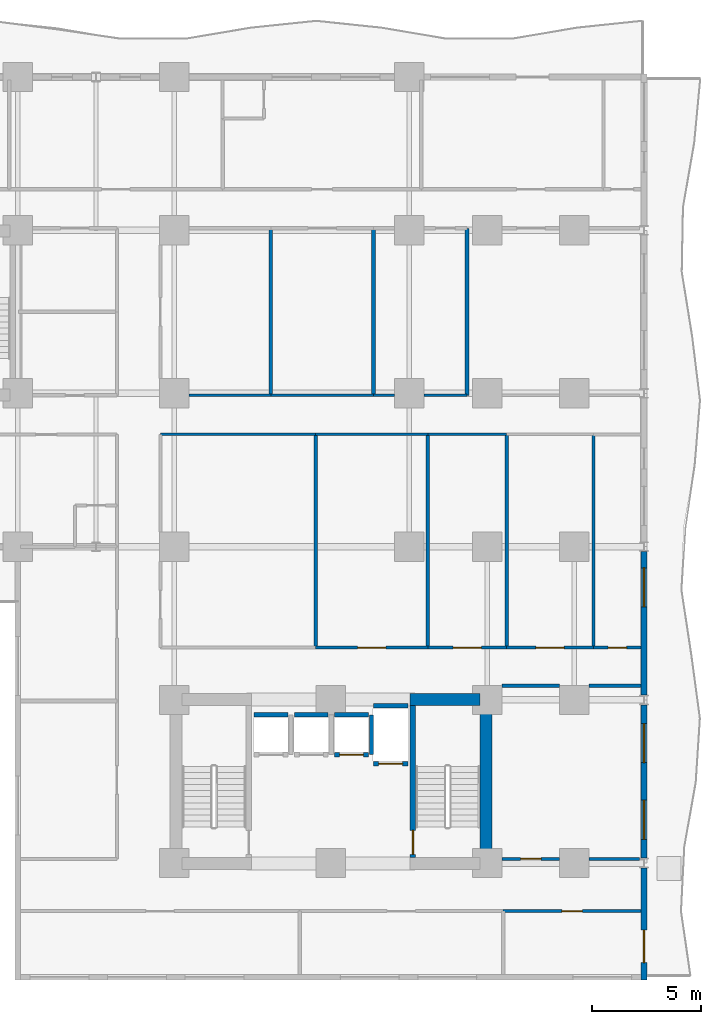
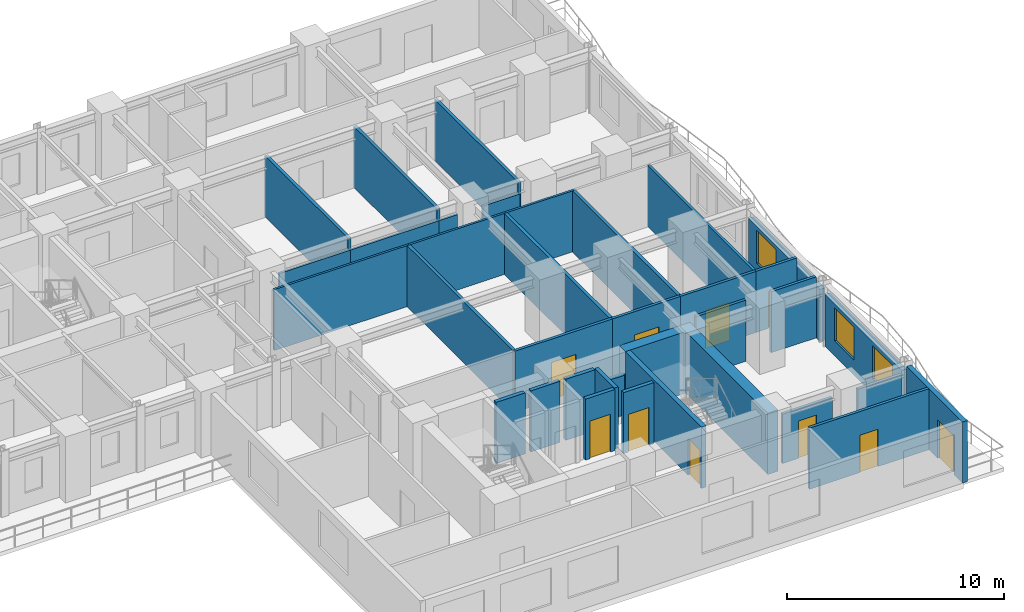
# One storey, part 5 of 11: 36 walls, 10 doors, 3 windows, 13 openings.
"""IFC4 building model written with IfcOpenShell, lengths in metres."""

from ifc_helpers import new_model, si_unit, direction, frame, frame_2d, origin, place, context, subcontext, project, spatial, rectangle, extrude, material, layer, layer_set, type_object, element, fill, save


model = new_model("IFC4")

# Units and contexts
model_context = context("Model", 3, precision=1e-05, world=origin(), true_north=direction((0.0, 1.0)))
body_context = subcontext(model_context, "Body", "Model", "MODEL_VIEW")
ifc_project = project(units=[si_unit("LENGTHUNIT", "METRE"), si_unit("AREAUNIT", "SQUARE_METRE"), si_unit("VOLUMEUNIT", "CUBIC_METRE"), si_unit("PLANEANGLEUNIT", "RADIAN"), si_unit("MASSUNIT", "GRAM", prefix="KILO")], contexts=[model_context])

# Site, building, storey
site_placement = place(None, origin())
site = spatial("IfcSite", under=ifc_project, at=site_placement, CompositionType="ELEMENT")
building_placement = place(site_placement, origin())
building = spatial("IfcBuilding", under=site, at=building_placement, Name="Kaliganga Portal Commons", CompositionType="ELEMENT")
storey_placement = place(building_placement, frame((0.0, 0.0, 25.300048828125)))
storey = spatial("IfcBuildingStorey", under=building, at=storey_placement, Name="L05", CompositionType="ELEMENT", Elevation=25.300048828125)

# Walls
ifc_material_1 = material(Name="Concrete C60/75", Category="concrete")
ifc_layer_1 = layer(ifc_material_1, 0.550048828125)
ifc_layer_set_1 = layer_set([ifc_layer_1], Name="Concrete C60/75")
wall_type_1 = type_object("IfcWallType", Name="WL-CORE-550", PredefinedType="SHEAR", material=ifc_layer_set_1)
wall_1_placement = place(storey_placement, frame((50.324951171875, 6.75, 0.0), z_axis=(0.0, 0.0, 1.0), x_axis=(0.0, 1.0, 0.0)))
element("IfcWall", 1, at=wall_1_placement, inside=storey, type_object=wall_type_1, Name="Core B East Shear Wall L05", PredefinedType="SHEAR", context=body_context, shape_type="SweptSolid", body=[
    extrude(rectangle(XDim=8.10009765625, YDim=0.550048828125, at=frame_2d((4.050048828125, 0.0))), origin(), (0.0, 0.0, 1.0), 3.449951171875),
])
wall_2_placement = place(storey_placement, frame((46.85009765625, 14.574951171875, 0.0), z_axis=(0.0, 0.0, 1.0), x_axis=(1.0, 0.0, 0.0)))
element("IfcWall", 2, at=wall_2_placement, inside=storey, type_object=wall_type_1, Name="Core B N-East Shear Wall L05", PredefinedType="SHEAR", context=body_context, shape_type="SweptSolid", body=[
    extrude(rectangle(XDim=3.199951171875, YDim=0.550048828125, at=frame_2d((1.60009765625, 0.0))), origin(), (0.0, 0.0, 1.0), 3.449951171875),
])

# Wall, opening, door
ifc_material_2 = material(Name="Insulated Aluminium-Clad Spandrel Assembly", Category="aluminium")
ifc_layer_2 = layer(ifc_material_2, 0.260009765625)
ifc_layer_set_2 = layer_set([ifc_layer_2], Name="Insulated Aluminium-Clad Spandrel Assembly")
wall_type_2 = type_object("IfcWallType", Name="WL-EXT-SPAND-260", PredefinedType="STANDARD", material=ifc_layer_set_2)
wall_3_placement = place(storey_placement, frame((57.60009765625, 6.825927734375, 0.0), z_axis=(0.0, 0.0, 1.0), x_axis=(0.0, -1.0, 0.0)))
wall_3 = element("IfcWall", 3, at=wall_3_placement, inside=storey, type_object=wall_type_2, Name="Exterior Envelope Wall L05 P1-E01-S1", PredefinedType="STANDARD", context=body_context, shape_type="SweptSolid", body=[
    extrude(rectangle(XDim=5.156005859375, YDim=0.260009765625, at=frame_2d((2.578125, 0.0))), origin(), (0.0, 0.0, 1.0), 3.429931640625),
])
opening_1_placement = place(wall_3_placement, frame((2.85888671875, 0.0, 0.0)))
opening_1 = element("IfcOpeningElement", 4, at=opening_1_placement, cuts=wall_3, Name="Opening BD-01", PredefinedType="OPENING", context=body_context, shape_type="SweptSolid", body=[
    extrude(rectangle(XDim=1.5, YDim=2.14990234375, at=frame_2d((0.75, 1.074951171875))), frame((0.0, 0.14013671875, 0.0), z_axis=(0.0, -1.0, 0.0), x_axis=(1.0, 0.0, 0.0)), (0.0, 0.0, 1.0), 0.280029296875),
])
ifc_material_3 = material(Name="Anodized Aluminium and Laminated Safety Glass", Category="aluminium")
door_type_1 = type_object("IfcDoorType", Name="DR-BALC-1500", OperationType="SLIDING_TO_LEFT", PredefinedType="DOOR", material=ifc_material_3)
door_1_placement = place(opening_1_placement, origin())
door_1 = element("IfcDoor", 5, at=door_1_placement, inside=storey, type_object=door_type_1, Name="Balcony Sliding Door L05 balc_east", OperationType="SLIDING_TO_LEFT", OverallHeight=2.14990234375, OverallWidth=1.5, PredefinedType="DOOR", context=body_context, shape_type="SweptSolid", body=[
    extrude(rectangle(XDim=1.5, YDim=2.14990234375, at=frame_2d((0.75, 1.074951171875))), frame((0.0, 0.02490234375, 0.0), z_axis=(0.0, -1.0, 0.0), x_axis=(1.0, 0.0, 0.0)), (0.0, 0.0, 1.0), 0.050048828125),
])
fill(opening_1, door_1)

# Wall, openings, windows
wall_4_placement = place(storey_placement, frame((57.60009765625, 14.325927734375, 0.0), z_axis=(0.0, 0.0, 1.0), x_axis=(0.0, -1.0, 0.0)))
wall_4 = element("IfcWall", 6, at=wall_4_placement, inside=storey, type_object=wall_type_2, Name="Exterior Envelope Wall L05 P1-E01-S2", PredefinedType="STANDARD", context=body_context, shape_type="SweptSolid", body=[
    extrude(rectangle(XDim=7.052001953125, YDim=0.260009765625, at=frame_2d((3.52587890625, 0.0))), origin(), (0.0, 0.0, 1.0), 2.929931640625),
])
opening_2_placement = place(wall_4_placement, frame((0.863037109375, 0.0, 0.85009765625)))
opening_2 = element("IfcOpeningElement", 7, at=opening_2_placement, cuts=wall_4, Name="Opening W-01", PredefinedType="OPENING", context=body_context, shape_type="SweptSolid", body=[
    extrude(rectangle(XDim=1.800048828125, YDim=1.85009765625, at=frame_2d((0.89990234375, 0.925048828125))), frame((0.0, 0.14013671875, 0.0), z_axis=(0.0, -1.0, 0.0), x_axis=(1.0, 0.0, 0.0)), (0.0, 0.0, 1.0), 0.280029296875),
])
opening_3_placement = place(wall_4_placement, frame((4.388916015625, 0.0, 0.85009765625)))
opening_3 = element("IfcOpeningElement", 8, at=opening_3_placement, cuts=wall_4, Name="Opening W-01", PredefinedType="OPENING", context=body_context, shape_type="SweptSolid", body=[
    extrude(rectangle(XDim=1.800048828125, YDim=1.85009765625, at=frame_2d((0.89990234375, 0.925048828125))), frame((0.0, 0.14013671875, 0.0), z_axis=(0.0, -1.0, 0.0), x_axis=(1.0, 0.0, 0.0)), (0.0, 0.0, 1.0), 0.280029296875),
])
ifc_material_4 = material(Name="Thermally Broken Aluminium and Low-E Double Glazing", Category="aluminium")
window_type = type_object("IfcWindowType", Name="WIN-STD-1800", PartitioningType="DOUBLE_PANEL_VERTICAL", PredefinedType="WINDOW", material=ifc_material_4)
window_1_placement = place(opening_2_placement, origin())
window_1 = element("IfcWindow", 9, at=window_1_placement, inside=storey, type_object=window_type, Name="Facade Window L05-P1E01S2-00", OverallHeight=1.85009765625, OverallWidth=1.800048828125, PartitioningType="SINGLE_PANEL", PredefinedType="WINDOW", context=body_context, shape_type="SweptSolid", body=[
    extrude(rectangle(XDim=1.800048828125, YDim=1.85009765625, at=frame_2d((0.89990234375, 0.925048828125))), frame((0.0, 0.030029296875, 0.0), z_axis=(0.0, -1.0, 0.0), x_axis=(1.0, 0.0, 0.0)), (0.0, 0.0, 1.0), 0.06005859375),
])
fill(opening_2, window_1)
window_2_placement = place(opening_3_placement, origin())
window_2 = element("IfcWindow", 10, at=window_2_placement, inside=storey, type_object=window_type, Name="Facade Window L05-P1E01S2-01", OverallHeight=1.85009765625, OverallWidth=1.800048828125, PartitioningType="SINGLE_PANEL", PredefinedType="WINDOW", context=body_context, shape_type="SweptSolid", body=[
    extrude(rectangle(XDim=1.800048828125, YDim=1.85009765625, at=frame_2d((0.89990234375, 0.925048828125))), frame((0.0, 0.030029296875, 0.0), z_axis=(0.0, -1.0, 0.0), x_axis=(1.0, 0.0, 0.0)), (0.0, 0.0, 1.0), 0.06005859375),
])
fill(opening_3, window_2)

# Wall, opening, window
wall_5_placement = place(storey_placement, frame((57.60009765625, 21.3759765625, 0.0), z_axis=(0.0, 0.0, 1.0), x_axis=(0.0, -1.0, 0.0)))
wall_5 = element("IfcWall", 11, at=wall_5_placement, inside=storey, type_object=wall_type_2, Name="Exterior Envelope Wall L05 P1-E01-S3", PredefinedType="STANDARD", context=body_context, shape_type="SweptSolid", body=[
    extrude(rectangle(XDim=6.60205078125, YDim=0.260009765625, at=frame_2d((3.301025390625, 0.0))), origin(), (0.0, 0.0, 1.0), 2.929931640625),
])
opening_4_placement = place(wall_5_placement, frame((0.75048828125, 0.0, 0.85009765625)))
opening_4 = element("IfcOpeningElement", 12, at=opening_4_placement, cuts=wall_5, Name="Opening W-01", PredefinedType="OPENING", context=body_context, shape_type="SweptSolid", body=[
    extrude(rectangle(XDim=1.800048828125, YDim=1.85009765625, at=frame_2d((0.89990234375, 0.925048828125))), frame((0.0, 0.14013671875, 0.0), z_axis=(0.0, -1.0, 0.0), x_axis=(1.0, 0.0, 0.0)), (0.0, 0.0, 1.0), 0.280029296875),
])
window_3_placement = place(opening_4_placement, origin())
window_3 = element("IfcWindow", 13, at=window_3_placement, inside=storey, type_object=window_type, Name="Facade Window L05-P1E01S3-00", OverallHeight=1.85009765625, OverallWidth=1.800048828125, PartitioningType="SINGLE_PANEL", PredefinedType="WINDOW", context=body_context, shape_type="SweptSolid", body=[
    extrude(rectangle(XDim=1.800048828125, YDim=1.85009765625, at=frame_2d((0.89990234375, 0.925048828125))), frame((0.0, 0.030029296875, 0.0), z_axis=(0.0, -1.0, 0.0), x_axis=(1.0, 0.0, 0.0)), (0.0, 0.0, 1.0), 0.06005859375),
])
fill(opening_4, window_3)

# Wall, opening, door
ifc_material_5 = material(Name="Fire-Rated Gypsum Board on Steel Stud", Category="steel")
ifc_layer_3 = layer(ifc_material_5, 0.14990234375)
ifc_layer_set_3 = layer_set([ifc_layer_3], Name="Fire-Rated Gypsum Board on Steel Stud")
wall_type_3 = type_object("IfcWallType", Name="WL-PART-CORR-150", PredefinedType="PARTITIONING", material=ifc_layer_set_3)
wall_6_placement = place(storey_placement, frame((51.074951171875, 7.239990234375, 0.0), z_axis=(0.0, 0.0, 1.0), x_axis=(1.0, 0.0, 0.0)))
wall_6 = element("IfcWall", 14, at=wall_6_placement, inside=storey, type_object=wall_type_3, Name="Interior Partition L05-025", PredefinedType="PARTITIONING", context=body_context, shape_type="SweptSolid", body=[
    extrude(rectangle(XDim=2.650146484375, YDim=0.14990234375, at=frame_2d((1.3251953125, 0.0))), origin(), (0.0, 0.0, 1.0), 2.780029296875),
])
opening_5_placement = place(wall_6_placement, frame((0.85009765625, 0.0, 0.0)))
opening_5 = element("IfcOpeningElement", 15, at=opening_5_placement, cuts=wall_6, Name="Opening UD-01", PredefinedType="OPENING", context=body_context, shape_type="SweptSolid", body=[
    extrude(rectangle(XDim=0.949951171875, YDim=2.10009765625, at=frame_2d((0.47509765625, 1.050048828125))), frame((0.0, 0.0849609375, 0.0), z_axis=(0.0, -1.0, 0.0), x_axis=(1.0, 0.0, 0.0)), (0.0, 0.0, 1.0), 0.169921875),
])
ifc_material_6 = material(Name="Solid-Core Timber Acoustic Fire Door", Category="wood")
door_type_2 = type_object("IfcDoorType", Name="DR-UNIT-950", OperationType="NOTDEFINED", PredefinedType="DOOR", material=ifc_material_6)
door_2_placement = place(opening_5_placement, origin())
door_2 = element("IfcDoor", 16, at=door_2_placement, inside=storey, type_object=door_type_2, Name="Interior Door L05-BE01", OperationType="SINGLE_SWING_LEFT", OverallHeight=2.10009765625, OverallWidth=0.949951171875, PredefinedType="DOOR", context=body_context, shape_type="SweptSolid", body=[
    extrude(rectangle(XDim=0.949951171875, YDim=2.10009765625, at=frame_2d((0.47509765625, 1.050048828125))), frame((0.0, 0.02490234375, 0.0), z_axis=(0.0, -1.0, 0.0), x_axis=(1.0, 0.0, 0.0)), (0.0, 0.0, 1.0), 0.050048828125),
])
fill(opening_5, door_2)

# Walls
wall_7_placement = place(storey_placement, frame((55.074951171875, 7.239990234375, 0.0), z_axis=(0.0, 0.0, 1.0), x_axis=(1.0, 0.0, 0.0)))
element("IfcWall", 17, at=wall_7_placement, inside=storey, type_object=wall_type_3, Name="Interior Partition L05-026", PredefinedType="PARTITIONING", context=body_context, shape_type="SweptSolid", body=[
    extrude(rectangle(XDim=2.317138671875, YDim=0.14990234375, at=frame_2d((1.15869140625, 0.0))), origin(), (0.0, 0.0, 1.0), 2.780029296875),
])
wall_8_placement = place(storey_placement, frame((51.074951171875, 15.199951171875, 0.0), z_axis=(0.0, 0.0, 1.0), x_axis=(1.0, 0.0, 0.0)))
element("IfcWall", 18, at=wall_8_placement, inside=storey, type_object=wall_type_3, Name="Interior Partition L05-027", PredefinedType="PARTITIONING", context=body_context, shape_type="SweptSolid", body=[
    extrude(rectangle(XDim=2.650146484375, YDim=0.14990234375, at=frame_2d((1.3251953125, 0.0))), origin(), (0.0, 0.0, 1.0), 3.429931640625),
])
wall_9_placement = place(storey_placement, frame((55.074951171875, 15.199951171875, 0.0), z_axis=(0.0, 0.0, 1.0), x_axis=(1.0, 0.0, 0.0)))
element("IfcWall", 19, at=wall_9_placement, inside=storey, type_object=wall_type_3, Name="Interior Partition L05-028", PredefinedType="PARTITIONING", context=body_context, shape_type="SweptSolid", body=[
    extrude(rectangle(XDim=2.39306640625, YDim=0.14990234375, at=frame_2d((1.196533203125, 0.0))), origin(), (0.0, 0.0, 1.0), 3.429931640625),
])

# Wall, opening, door
wall_10_placement = place(storey_placement, frame((51.1201171875, 4.840087890625, 0.0), z_axis=(0.0, 0.0, 1.0), x_axis=(1.0, 0.0, 0.0)))
wall_10 = element("IfcWall", 20, at=wall_10_placement, inside=storey, type_object=wall_type_3, Name="Interior Partition L05-029", PredefinedType="PARTITIONING", context=body_context, shape_type="SweptSolid", body=[
    extrude(rectangle(XDim=6.347900390625, YDim=0.14990234375, at=frame_2d((3.173828125, 0.0))), origin(), (0.0, 0.0, 1.0), 3.429931640625),
])
opening_6_placement = place(wall_10_placement, frame((2.698974609375, 0.0, 0.0)))
opening_6 = element("IfcOpeningElement", 21, at=opening_6_placement, cuts=wall_10, Name="Opening UD-01", PredefinedType="OPENING", context=body_context, shape_type="SweptSolid", body=[
    extrude(rectangle(XDim=0.949951171875, YDim=2.10009765625, at=frame_2d((0.47509765625, 1.050048828125))), frame((0.0, 0.0849609375, 0.0), z_axis=(0.0, -1.0, 0.0), x_axis=(1.0, 0.0, 0.0)), (0.0, 0.0, 1.0), 0.169921875),
])
door_3_placement = place(opening_6_placement, origin())
door_3 = element("IfcDoor", 22, at=door_3_placement, inside=storey, type_object=door_type_2, Name="Interior Door L05-BS03", OperationType="SINGLE_SWING_RIGHT", OverallHeight=2.10009765625, OverallWidth=0.949951171875, PredefinedType="DOOR", context=body_context, shape_type="SweptSolid", body=[
    extrude(rectangle(XDim=0.949951171875, YDim=2.10009765625, at=frame_2d((0.47509765625, 1.050048828125))), frame((0.0, 0.02490234375, 0.0), z_axis=(0.0, -1.0, 0.0), x_axis=(1.0, 0.0, 0.0)), (0.0, 0.0, 1.0), 0.050048828125),
])
fill(opening_6, door_3)

wall_11_placement = place(storey_placement, frame((42.5, 16.9599609375, 0.0), z_axis=(0.0, 0.0, 1.0), x_axis=(1.0, 0.0, 0.0)))
wall_11 = element("IfcWall", 23, at=wall_11_placement, inside=storey, type_object=wall_type_3, Name="Interior Partition L05-031", PredefinedType="PARTITIONING", context=body_context, shape_type="SweptSolid", body=[
    extrude(rectangle(XDim=5.159912109375, YDim=0.14990234375, at=frame_2d((2.580078125, 0.0))), origin(), (0.0, 0.0, 1.0), 3.429931640625),
])
opening_7_placement = place(wall_11_placement, frame((1.929931640625, 0.0, 0.0)))
opening_7 = element("IfcOpeningElement", 24, at=opening_7_placement, cuts=wall_11, Name="Opening RD-03", PredefinedType="OPENING", context=body_context, shape_type="SweptSolid", body=[
    extrude(rectangle(XDim=1.300048828125, YDim=2.1201171875, at=frame_2d((0.64990234375, 1.06005859375))), frame((0.0, 0.0849609375, 0.0), z_axis=(0.0, -1.0, 0.0), x_axis=(1.0, 0.0, 0.0)), (0.0, 0.0, 1.0), 0.169921875),
])
ifc_material_7 = material(Name="Glazed Timber Seminar Vision Door", Category="wood")
door_type_3 = type_object("IfcDoorType", Name="DR-STUDY-1300", OperationType="DOUBLE_DOOR_SINGLE_SWING", PredefinedType="DOOR", material=ifc_material_7)
door_4_placement = place(opening_7_placement, origin())
door_4 = element("IfcDoor", 25, at=door_4_placement, inside=storey, type_object=door_type_3, Name="Interior Door L05-BM02", OperationType="DOUBLE_DOOR_SINGLE_SWING", OverallHeight=2.1201171875, OverallWidth=1.300048828125, PredefinedType="DOOR", context=body_context, shape_type="SweptSolid", body=[
    extrude(rectangle(XDim=1.300048828125, YDim=2.1201171875, at=frame_2d((0.64990234375, 1.06005859375))), frame((0.0, 0.02490234375, 0.0), z_axis=(0.0, -1.0, 0.0), x_axis=(1.0, 0.0, 0.0)), (0.0, 0.0, 1.0), 0.050048828125),
])
fill(opening_7, door_4)

wall_12_placement = place(storey_placement, frame((51.280029296875, 16.9599609375, 0.0), z_axis=(0.0, 0.0, 1.0), x_axis=(1.0, 0.0, 0.0)))
wall_12 = element("IfcWall", 26, at=wall_12_placement, inside=storey, type_object=wall_type_3, Name="Interior Partition L05-044", PredefinedType="PARTITIONING", context=body_context, shape_type="SweptSolid", body=[
    extrude(rectangle(XDim=4.0, YDim=0.14990234375, at=frame_2d((2.0, 0.0))), origin(), (0.0, 0.0, 1.0), 3.429931640625),
])
opening_8_placement = place(wall_12_placement, frame((1.35009765625, 0.0, 0.0)))
opening_8 = element("IfcOpeningElement", 27, at=opening_8_placement, cuts=wall_12, Name="Opening RD-03", PredefinedType="OPENING", context=body_context, shape_type="SweptSolid", body=[
    extrude(rectangle(XDim=1.300048828125, YDim=2.1201171875, at=frame_2d((0.64990234375, 1.06005859375))), frame((0.0, 0.0849609375, 0.0), z_axis=(0.0, -1.0, 0.0), x_axis=(1.0, 0.0, 0.0)), (0.0, 0.0, 1.0), 0.169921875),
])
door_5_placement = place(opening_8_placement, origin())
door_5 = element("IfcDoor", 28, at=door_5_placement, inside=storey, type_object=door_type_3, Name="Interior Door L05-BM04", OperationType="DOUBLE_DOOR_SINGLE_SWING", OverallHeight=2.1201171875, OverallWidth=1.300048828125, PredefinedType="DOOR", context=body_context, shape_type="SweptSolid", body=[
    extrude(rectangle(XDim=1.300048828125, YDim=2.1201171875, at=frame_2d((0.64990234375, 1.06005859375))), frame((0.0, 0.02490234375, 0.0), z_axis=(0.0, -1.0, 0.0), x_axis=(1.0, 0.0, 0.0)), (0.0, 0.0, 1.0), 0.050048828125),
])
fill(opening_8, door_5)

wall_13_placement = place(storey_placement, frame((47.659912109375, 16.9599609375, 0.0), z_axis=(0.0, 0.0, 1.0), x_axis=(1.0, 0.0, 0.0)))
wall_13 = element("IfcWall", 29, at=wall_13_placement, inside=storey, type_object=wall_type_3, Name="Interior Partition L05-049", PredefinedType="PARTITIONING", context=body_context, shape_type="SweptSolid", body=[
    extrude(rectangle(XDim=3.6201171875, YDim=0.14990234375, at=frame_2d((1.81005859375, 0.0))), origin(), (0.0, 0.0, 1.0), 3.429931640625),
])
opening_9_placement = place(wall_13_placement, frame((1.159912109375, 0.0, 0.0)))
opening_9 = element("IfcOpeningElement", 30, at=opening_9_placement, cuts=wall_13, Name="Opening RD-03", PredefinedType="OPENING", context=body_context, shape_type="SweptSolid", body=[
    extrude(rectangle(XDim=1.300048828125, YDim=2.1201171875, at=frame_2d((0.64990234375, 1.06005859375))), frame((0.0, 0.0849609375, 0.0), z_axis=(0.0, -1.0, 0.0), x_axis=(1.0, 0.0, 0.0)), (0.0, 0.0, 1.0), 0.169921875),
])
door_6_placement = place(opening_9_placement, origin())
door_6 = element("IfcDoor", 31, at=door_6_placement, inside=storey, type_object=door_type_3, Name="Interior Door L05-BM03", OperationType="DOUBLE_DOOR_SINGLE_SWING", OverallHeight=2.1201171875, OverallWidth=1.300048828125, PredefinedType="DOOR", context=body_context, shape_type="SweptSolid", body=[
    extrude(rectangle(XDim=1.300048828125, YDim=2.1201171875, at=frame_2d((0.64990234375, 1.06005859375))), frame((0.0, 0.02490234375, 0.0), z_axis=(0.0, -1.0, 0.0), x_axis=(1.0, 0.0, 0.0)), (0.0, 0.0, 1.0), 0.050048828125),
])
fill(opening_9, door_6)

wall_14_placement = place(storey_placement, frame((55.280029296875, 16.9599609375, 0.0), z_axis=(0.0, 0.0, 1.0), x_axis=(1.0, 0.0, 0.0)))
wall_14 = element("IfcWall", 32, at=wall_14_placement, inside=storey, type_object=wall_type_3, Name="Interior Partition L05-053", PredefinedType="PARTITIONING", context=body_context, shape_type="SweptSolid", body=[
    extrude(rectangle(XDim=2.18798828125, YDim=0.14990234375, at=frame_2d((1.093994140625, 0.0))), origin(), (0.0, 0.0, 1.0), 3.429931640625),
])
opening_10_placement = place(wall_14_placement, frame((0.6689453125, 0.0, 0.0)))
opening_10 = element("IfcOpeningElement", 33, at=opening_10_placement, cuts=wall_14, Name="Opening WD-01", PredefinedType="OPENING", context=body_context, shape_type="SweptSolid", body=[
    extrude(rectangle(XDim=0.85009765625, YDim=2.0400390625, at=frame_2d((0.425048828125, 1.02001953125))), frame((0.0, 0.0849609375, 0.0), z_axis=(0.0, -1.0, 0.0), x_axis=(1.0, 0.0, 0.0)), (0.0, 0.0, 1.0), 0.169921875),
])
ifc_material_8 = material(Name="Moisture-Resistant Laminate Timber Door", Category="wood")
door_type_4 = type_object("IfcDoorType", Name="DR-WET-850", OperationType="NOTDEFINED", PredefinedType="DOOR", material=ifc_material_8)
door_7_placement = place(opening_10_placement, origin())
door_7 = element("IfcDoor", 34, at=door_7_placement, inside=storey, type_object=door_type_4, Name="Interior Door L05-BM05", OperationType="SINGLE_SWING_LEFT", OverallHeight=2.0400390625, OverallWidth=0.85009765625, PredefinedType="DOOR", context=body_context, shape_type="SweptSolid", body=[
    extrude(rectangle(XDim=0.85009765625, YDim=2.0400390625, at=frame_2d((0.425048828125, 1.02001953125))), frame((0.0, 0.02490234375, 0.0), z_axis=(0.0, -1.0, 0.0), x_axis=(1.0, 0.0, 0.0)), (0.0, 0.0, 1.0), 0.050048828125),
])
fill(opening_10, door_7)

# Walls
ifc_material_9 = material(Name="Moisture-Resistant Gypsum Partition", Category="gypsum")
ifc_layer_4 = layer(ifc_material_9, 0.114990234375)
ifc_layer_set_4 = layer_set([ifc_layer_4], Name="Moisture-Resistant Gypsum Partition")
wall_type_4 = type_object("IfcWallType", Name="WL-PART-ROOM-115", PredefinedType="PARTITIONING", material=ifc_layer_set_4)
wall_15_placement = place(storey_placement, frame((35.360107421875, 26.760009765625, 0.0), z_axis=(0.0, 0.0, 1.0), x_axis=(1.0, 0.0, 0.0)))
element("IfcWall", 35, at=wall_15_placement, inside=storey, type_object=wall_type_4, Name="Interior Partition L05-066", PredefinedType="PARTITIONING", context=body_context, shape_type="SweptSolid", body=[
    extrude(rectangle(XDim=7.139892578125, YDim=0.114990234375, at=frame_2d((3.56982421875, 0.0))), origin(), (0.0, 0.0, 1.0), 3.429931640625),
])
wall_16_placement = place(storey_placement, frame((42.5, 26.760009765625, 0.0), z_axis=(0.0, 0.0, 1.0), x_axis=(1.0, 0.0, 0.0)))
element("IfcWall", 36, at=wall_16_placement, inside=storey, type_object=wall_type_4, Name="Interior Partition L05-075", PredefinedType="PARTITIONING", context=body_context, shape_type="SweptSolid", body=[
    extrude(rectangle(XDim=5.159912109375, YDim=0.114990234375, at=frame_2d((2.580078125, 0.0))), origin(), (0.0, 0.0, 1.0), 3.429931640625),
])
wall_17_placement = place(storey_placement, frame((36.675048828125, 28.56005859375, 0.0), z_axis=(0.0, 0.0, 1.0), x_axis=(1.0, 0.0, 0.0)))
element("IfcWall", 37, at=wall_17_placement, inside=storey, type_object=wall_type_4, Name="Interior Partition L05-076", PredefinedType="PARTITIONING", context=body_context, shape_type="SweptSolid", body=[
    extrude(rectangle(XDim=3.764892578125, YDim=0.114990234375, at=frame_2d((1.88232421875, 0.0))), origin(), (0.0, 0.0, 1.0), 2.780029296875),
])
wall_18_placement = place(storey_placement, frame((40.43994140625, 28.56005859375, 0.0), z_axis=(0.0, 0.0, 1.0), x_axis=(1.0, 0.0, 0.0)))
element("IfcWall", 38, at=wall_18_placement, inside=storey, type_object=wall_type_4, Name="Interior Partition L05-078", PredefinedType="PARTITIONING", context=body_context, shape_type="SweptSolid", body=[
    extrude(rectangle(XDim=4.719970703125, YDim=0.114990234375, at=frame_2d((2.35986328125, 0.0))), origin(), (0.0, 0.0, 1.0), 2.780029296875),
])
wall_19_placement = place(storey_placement, frame((45.159912109375, 28.56005859375, 0.0), z_axis=(0.0, 0.0, 1.0), x_axis=(1.0, 0.0, 0.0)))
element("IfcWall", 39, at=wall_19_placement, inside=storey, type_object=wall_type_4, Name="Interior Partition L05-082", PredefinedType="PARTITIONING", context=body_context, shape_type="SweptSolid", body=[
    extrude(rectangle(XDim=0.965087890625, YDim=0.114990234375, at=frame_2d((0.482421875, 0.0))), origin(), (0.0, 0.0, 1.0), 2.780029296875),
])
wall_20_placement = place(storey_placement, frame((47.47509765625, 28.56005859375, 0.0), z_axis=(0.0, 0.0, 1.0), x_axis=(1.0, 0.0, 0.0)))
element("IfcWall", 40, at=wall_20_placement, inside=storey, type_object=wall_type_4, Name="Interior Partition L05-083", PredefinedType="PARTITIONING", context=body_context, shape_type="SweptSolid", body=[
    extrude(rectangle(XDim=1.98486328125, YDim=0.114990234375, at=frame_2d((0.992431640625, 0.0))), origin(), (0.0, 0.0, 1.0), 2.780029296875),
])
wall_21_placement = place(storey_placement, frame((47.659912109375, 26.760009765625, 0.0), z_axis=(0.0, 0.0, 1.0), x_axis=(1.0, 0.0, 0.0)))
element("IfcWall", 41, at=wall_21_placement, inside=storey, type_object=wall_type_4, Name="Interior Partition L05-085", PredefinedType="PARTITIONING", context=body_context, shape_type="SweptSolid", body=[
    extrude(rectangle(XDim=3.6201171875, YDim=0.114990234375, at=frame_2d((1.81005859375, 0.0))), origin(), (0.0, 0.0, 1.0), 3.429931640625),
])
ifc_material_10 = material(Name="Twin-Stud Acoustic Gypsum Partition", Category="gypsum")
ifc_layer_5 = layer(ifc_material_10, 0.1650390625)
ifc_layer_set_5 = layer_set([ifc_layer_5], Name="Twin-Stud Acoustic Gypsum Partition")
wall_type_5 = type_object("IfcWallType", Name="WL-PART-UNIT-165", PredefinedType="PARTITIONING", material=ifc_layer_set_5)
for number, where, z_axis, x_axis, name in (
    (42, (42.5, 16.9599609375, 0.0), (0.0, 0.0, 1.0), (0.0, 1.0, 0.0), "Interior Partition L05-057"),
    (43, (47.659912109375, 16.9599609375, 0.0), (0.0, 0.0, 1.0), (0.0, 1.0, 0.0), "Interior Partition L05-058"),
    (44, (51.280029296875, 16.9599609375, 0.0), (0.0, 0.0, 1.0), (0.0, 1.0, 0.0), "Interior Partition L05-059"),
):
    element("IfcWall", number, at=place(storey_placement, frame(where, z_axis=z_axis, x_axis=x_axis)), inside=storey, type_object=wall_type_5, Name=name, PredefinedType="PARTITIONING", context=body_context, shape_type="SweptSolid", body=[
        extrude(rectangle(XDim=9.800048828125, YDim=0.1650390625, at=frame_2d((4.89990234375, 0.0))), origin(), (0.0, 0.0, 1.0), 3.429931640625),
    ])
for number, where, z_axis, x_axis, name in (
    (45, (40.43994140625, 28.56005859375, 0.0), (0.0, 0.0, 1.0), (0.0, 1.0, 0.0), "Interior Partition L05-063"),
    (46, (45.159912109375, 28.56005859375, 0.0), (0.0, 0.0, 1.0), (0.0, 1.0, 0.0), "Interior Partition L05-064"),
    (47, (49.4599609375, 28.56005859375, 0.0), (0.0, 0.0, 1.0), (0.0, 1.0, 0.0), "Interior Partition L05-065"),
):
    element("IfcWall", number, at=place(storey_placement, frame(where, z_axis=z_axis, x_axis=x_axis)), inside=storey, type_object=wall_type_5, Name=name, PredefinedType="PARTITIONING", context=body_context, shape_type="SweptSolid", body=[
        extrude(rectangle(XDim=7.679931640625, YDim=0.1650390625, at=frame_2d((3.83984375, 0.0))), origin(), (0.0, 0.0, 1.0), 3.429931640625),
    ])
ifc_material_11 = material(Name="Cement-Board Wet-Room Partition", Category="gypsum")
ifc_layer_6 = layer(ifc_material_11, 0.135009765625)
ifc_layer_set_6 = layer_set([ifc_layer_6], Name="Cement-Board Wet-Room Partition")
wall_type_6 = type_object("IfcWallType", Name="WL-PART-WET-135", PredefinedType="PARTITIONING", material=ifc_layer_set_6)
wall_22_placement = place(storey_placement, frame((55.280029296875, 16.9599609375, 0.0), z_axis=(0.0, 0.0, 1.0), x_axis=(0.0, 1.0, 0.0)))
element("IfcWall", 48, at=wall_22_placement, inside=storey, type_object=wall_type_6, Name="Interior Partition L05-060", PredefinedType="PARTITIONING", context=body_context, shape_type="SweptSolid", body=[
    extrude(rectangle(XDim=9.800048828125, YDim=0.135009765625, at=frame_2d((4.89990234375, 0.0))), origin(), (0.0, 0.0, 1.0), 3.429931640625),
])
ifc_material_12 = material(Name="Fire-Rated Shaftwall Masonry Assembly", Category="masonry")
ifc_layer_7 = layer(ifc_material_12, 0.199951171875)
ifc_layer_set_7 = layer_set([ifc_layer_7], Name="Fire-Rated Shaftwall Masonry Assembly")
wall_type_7 = type_object("IfcWallType", Name="WL-SHAFT-200", PredefinedType="PARTITIONING", material=ifc_layer_set_7)
for number, where, z_axis, x_axis, name in (
    (49, (39.675048828125, 13.864990234375, 0.0), (0.0, 0.0, 1.0), (1.0, 0.0, 0.0), "Lift PL-B1 Hoistway Shaft Wall L05-N"),
    (50, (41.52490234375, 13.864990234375, 0.0), (0.0, 0.0, 1.0), (1.0, 0.0, 0.0), "Lift PL-B2 Hoistway Shaft Wall L05-N"),
):
    element("IfcWall", number, at=place(storey_placement, frame(where, z_axis=z_axis, x_axis=x_axis)), inside=storey, type_object=wall_type_7, Name=name, PredefinedType="PARTITIONING", context=body_context, shape_type="SweptSolid", body=[
        extrude(rectangle(XDim=1.550048828125, YDim=0.199951171875, at=frame_2d((0.77490234375, 0.0))), origin(), (0.0, 0.0, 1.0), 3.429931640625),
    ])

# Wall, opening, door
wall_23_placement = place(storey_placement, frame((43.375, 12.034912109375, 0.0), z_axis=(0.0, 0.0, 1.0), x_axis=(1.0, 0.0, 0.0)))
wall_23 = element("IfcWall", 51, at=wall_23_placement, inside=storey, type_object=wall_type_7, Name="Lift SH-2 Hoistway Shaft Wall L05-S", PredefinedType="PARTITIONING", context=body_context, shape_type="SweptSolid", body=[
    extrude(rectangle(XDim=1.550048828125, YDim=0.199951171875, at=frame_2d((0.77490234375, 0.0))), origin(), (0.0, 0.0, 1.0), 3.429931640625),
])
opening_11_placement = place(wall_23_placement, frame((0.22509765625, 0.0, 0.0)))
opening_11 = element("IfcOpeningElement", 52, at=opening_11_placement, cuts=wall_23, Name="Opening LD-01", PredefinedType="OPENING", context=body_context, shape_type="SweptSolid", body=[
    extrude(rectangle(XDim=1.10009765625, YDim=2.1201171875, at=frame_2d((0.550048828125, 1.06005859375))), frame((0.0, 0.10986328125, 0.0), z_axis=(0.0, -1.0, 0.0), x_axis=(1.0, 0.0, 0.0)), (0.0, 0.0, 1.0), 0.219970703125),
])
ifc_material_13 = material(Name="Brushed Stainless Steel 316 Lift Landing Door", Category="steel")
door_type_5 = type_object("IfcDoorType", Name="DR-LIFT-1100", OperationType="SLIDING_TO_LEFT", PredefinedType="DOOR", material=ifc_material_13)
door_8_placement = place(opening_11_placement, origin())
door_8 = element("IfcDoor", 53, at=door_8_placement, inside=storey, type_object=door_type_5, Name="Lift SH-2 Sliding Landing Door L05", OperationType="SLIDING_TO_LEFT", OverallHeight=2.1201171875, OverallWidth=1.10009765625, PredefinedType="DOOR", context=body_context, shape_type="SweptSolid", body=[
    extrude(rectangle(XDim=1.10009765625, YDim=2.1201171875, at=frame_2d((0.550048828125, 1.06005859375))), frame((0.0, 0.02490234375, 0.0), z_axis=(0.0, -1.0, 0.0), x_axis=(1.0, 0.0, 0.0)), (0.0, 0.0, 1.0), 0.050048828125),
])
fill(opening_11, door_8)

# Walls
wall_24_placement = place(storey_placement, frame((43.375, 13.864990234375, 0.0), z_axis=(0.0, 0.0, 1.0), x_axis=(1.0, 0.0, 0.0)))
element("IfcWall", 54, at=wall_24_placement, inside=storey, type_object=wall_type_7, Name="Lift SH-2 Hoistway Shaft Wall L05-N", PredefinedType="PARTITIONING", context=body_context, shape_type="SweptSolid", body=[
    extrude(rectangle(XDim=1.550048828125, YDim=0.199951171875, at=frame_2d((0.77490234375, 0.0))), origin(), (0.0, 0.0, 1.0), 3.429931640625),
])
wall_25_placement = place(storey_placement, frame((45.06494140625, 12.034912109375, 0.0), z_axis=(0.0, 0.0, 1.0), x_axis=(0.0, 1.0, 0.0)))
element("IfcWall", 55, at=wall_25_placement, inside=storey, type_object=wall_type_7, Name="Lift SH-2 Hoistway Shaft Wall L05-E", PredefinedType="PARTITIONING", context=body_context, shape_type="SweptSolid", body=[
    extrude(rectangle(XDim=1.830078125, YDim=0.199951171875, at=frame_2d((0.9150390625, 0.0))), origin(), (0.0, 0.0, 1.0), 3.429931640625),
])

# Wall, opening, door
wall_26_placement = place(storey_placement, frame((45.14990234375, 11.610107421875, 0.0), z_axis=(0.0, 0.0, 1.0), x_axis=(1.0, 0.0, 0.0)))
wall_26 = element("IfcWall", 56, at=wall_26_placement, inside=storey, type_object=wall_type_7, Name="Lift SL-B1 Hoistway Shaft Wall L05-S", PredefinedType="PARTITIONING", context=body_context, shape_type="SweptSolid", body=[
    extrude(rectangle(XDim=1.60009765625, YDim=0.199951171875, at=frame_2d((0.800048828125, 0.0))), origin(), (0.0, 0.0, 1.0), 3.429931640625),
])
opening_12_placement = place(wall_26_placement, frame((0.25, 0.0, 0.0)))
opening_12 = element("IfcOpeningElement", 57, at=opening_12_placement, cuts=wall_26, Name="Opening LD-01", PredefinedType="OPENING", context=body_context, shape_type="SweptSolid", body=[
    extrude(rectangle(XDim=1.10009765625, YDim=2.1201171875, at=frame_2d((0.550048828125, 1.06005859375))), frame((0.0, 0.10986328125, 0.0), z_axis=(0.0, -1.0, 0.0), x_axis=(1.0, 0.0, 0.0)), (0.0, 0.0, 1.0), 0.219970703125),
])
door_9_placement = place(opening_12_placement, origin())
door_9 = element("IfcDoor", 58, at=door_9_placement, inside=storey, type_object=door_type_5, Name="Lift SL-B1 Sliding Landing Door L05", OperationType="SLIDING_TO_LEFT", OverallHeight=2.1201171875, OverallWidth=1.10009765625, PredefinedType="DOOR", context=body_context, shape_type="SweptSolid", body=[
    extrude(rectangle(XDim=1.10009765625, YDim=2.1201171875, at=frame_2d((0.550048828125, 1.06005859375))), frame((0.0, 0.02490234375, 0.0), z_axis=(0.0, -1.0, 0.0), x_axis=(1.0, 0.0, 0.0)), (0.0, 0.0, 1.0), 0.050048828125),
])
fill(opening_12, door_9)

# Wall
wall_27_placement = place(storey_placement, frame((45.14990234375, 14.2900390625, 0.0), z_axis=(0.0, 0.0, 1.0), x_axis=(1.0, 0.0, 0.0)))
element("IfcWall", 59, at=wall_27_placement, inside=storey, type_object=wall_type_7, Name="Lift SL-B1 Hoistway Shaft Wall L05-N", PredefinedType="PARTITIONING", context=body_context, shape_type="SweptSolid", body=[
    extrude(rectangle(XDim=1.60009765625, YDim=0.199951171875, at=frame_2d((0.800048828125, 0.0))), origin(), (0.0, 0.0, 1.0), 2.22998046875),
])

# Wall, opening, door
ifc_material_14 = material(Name="Concrete C50/60", Category="concrete")
ifc_layer_8 = layer(ifc_material_14, 0.25)
ifc_layer_set_8 = layer_set([ifc_layer_8], Name="Concrete C50/60")
wall_type_8 = type_object("IfcWallType", Name="WL-STAIR-250", PredefinedType="SHEAR", material=ifc_layer_set_8)
wall_28_placement = place(storey_placement, frame((46.97509765625, 7.300048828125, 0.0), z_axis=(0.0, 0.0, 1.0), x_axis=(0.0, 1.0, 0.0)))
wall_28 = element("IfcWall", 60, at=wall_28_placement, inside=storey, type_object=wall_type_8, Name="Stair B2 Enclosure Shear Wall L05", PredefinedType="SHEAR", context=body_context, shape_type="SweptSolid", body=[
    extrude(rectangle(XDim=7.0, YDim=0.25, at=frame_2d((3.5, 0.0))), origin(), (0.0, 0.0, 1.0), 3.449951171875),
])
opening_13_placement = place(wall_28_placement, frame((0.14990234375, 0.0, 0.0)))
opening_13 = element("IfcOpeningElement", 61, at=opening_13_placement, cuts=wall_28, Name="Opening SD-01", PredefinedType="OPENING", context=body_context, shape_type="SweptSolid", body=[
    extrude(rectangle(XDim=1.10009765625, YDim=2.080078125, at=frame_2d((0.550048828125, 1.0400390625))), frame((0.0, 0.135009765625, 0.0), z_axis=(0.0, -1.0, 0.0), x_axis=(1.0, 0.0, 0.0)), (0.0, 0.0, 1.0), 0.27001953125),
])
ifc_material_15 = material(Name="Galvanized Steel Fire Door Leaf and Frame", Category="steel")
door_type_6 = type_object("IfcDoorType", Name="DR-STAIR-1100", OperationType="NOTDEFINED", PredefinedType="DOOR", material=ifc_material_15)
door_10_placement = place(opening_13_placement, origin())
door_10 = element("IfcDoor", 62, at=door_10_placement, inside=storey, type_object=door_type_6, Name="Protected Stair ST-B2 Fire Door L05", OperationType="SINGLE_SWING_RIGHT", OverallHeight=2.080078125, OverallWidth=1.10009765625, PredefinedType="DOOR", context=body_context, shape_type="SweptSolid", body=[
    extrude(rectangle(XDim=1.10009765625, YDim=2.080078125, at=frame_2d((0.550048828125, 1.0400390625))), frame((0.0, 0.02490234375, 0.0), z_axis=(0.0, -1.0, 0.0), x_axis=(1.0, 0.0, 0.0)), (0.0, 0.0, 1.0), 0.050048828125),
])
fill(opening_13, door_10)

save(model, "model.ifc")
